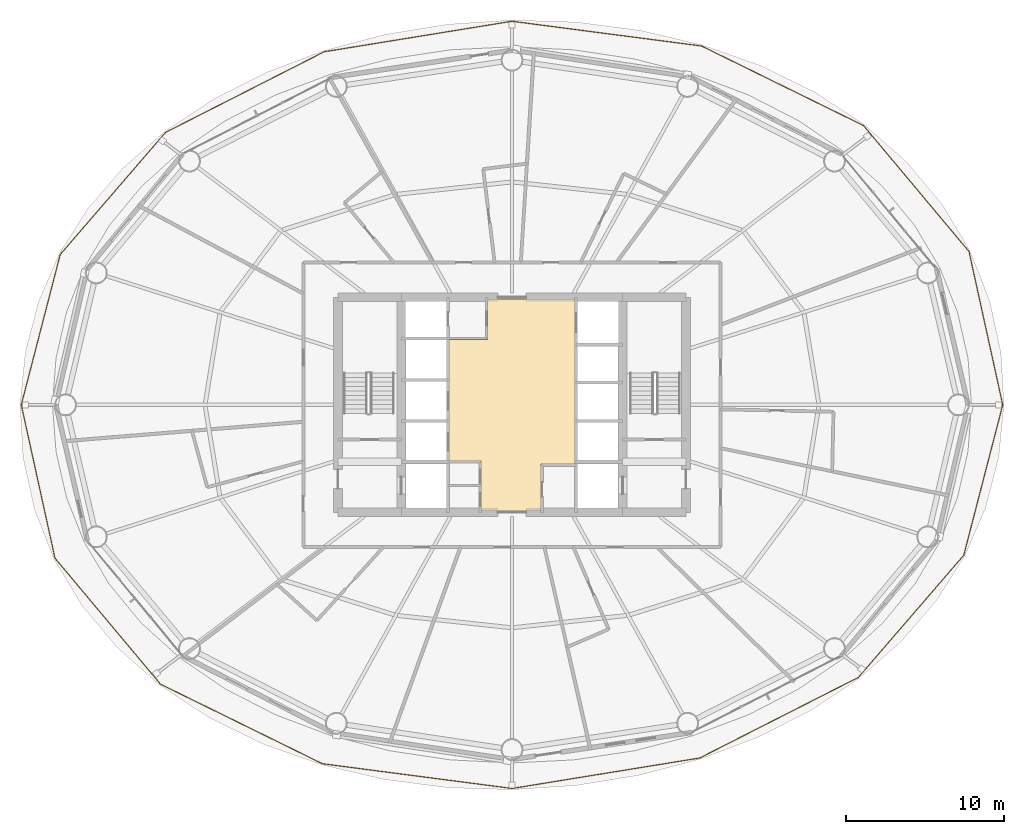
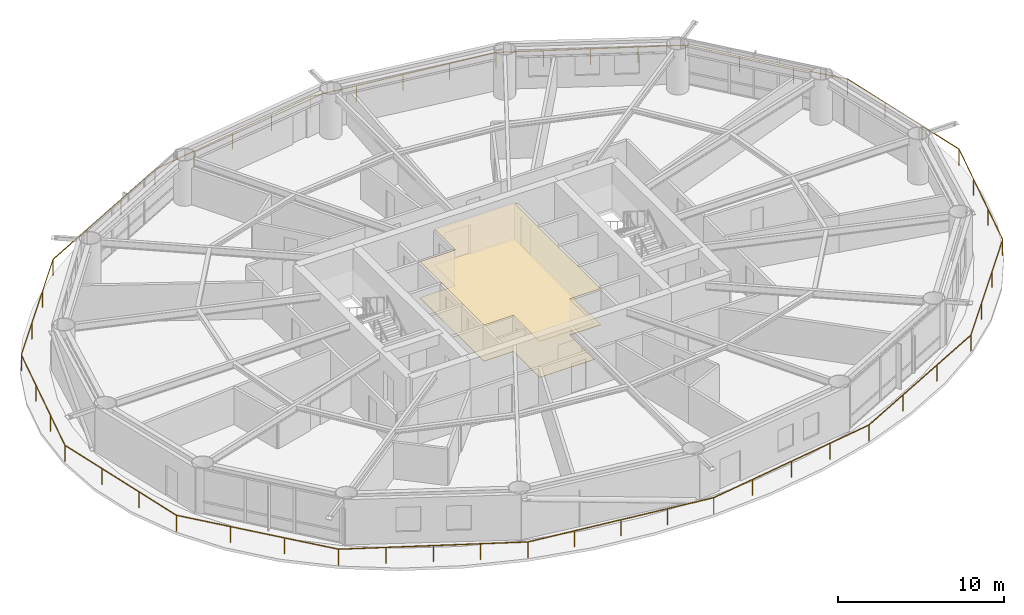
# One storey, part 23 of 24: 2 coverings, 1 railing.
"""IFC4 building model written with IfcOpenShell, lengths in metres."""

from ifc_helpers import new_model, si_unit, direction, frame, origin, origin_2d, place, context, subcontext, project, spatial, polyline, rectangle, outline, extrude, material, layer, layer_set, type_object, element, save


model = new_model("IFC4")

# Units and contexts
model_context = context("Model", 3, precision=1e-05, world=origin(), true_north=direction((0.0, 1.0)))
body_context = subcontext(model_context, "Body", "Model", "MODEL_VIEW")
ifc_project = project(units=[si_unit("LENGTHUNIT", "METRE"), si_unit("AREAUNIT", "SQUARE_METRE"), si_unit("VOLUMEUNIT", "CUBIC_METRE"), si_unit("PLANEANGLEUNIT", "RADIAN"), si_unit("MASSUNIT", "GRAM", prefix="KILO")], contexts=[model_context])

# Site, building, storey
site_placement = place(None, origin())
site = spatial("IfcSite", under=ifc_project, at=site_placement, CompositionType="ELEMENT")
building_placement = place(site_placement, origin())
building = spatial("IfcBuilding", under=site, at=building_placement, Name="Sarneth Arch Tower", CompositionType="ELEMENT")
storey_placement = place(building_placement, frame((0.0, 0.0, 130.800048828125)))
storey = spatial("IfcBuildingStorey", under=building, at=storey_placement, Name="L33", CompositionType="ELEMENT", Elevation=130.800048828125)

# Coverings
ifc_material_1 = material(Name="Perforated acoustic gypsum ceiling board")
ifc_layer_1 = layer(ifc_material_1, 0.02490234375)
ifc_layer_set_1 = layer_set([ifc_layer_1], Name="Perforated acoustic gypsum ceiling board")
covering_type_1 = type_object("IfcCoveringType", Name="COV-CEIL-GYP", PredefinedType="CEILING", material=ifc_layer_set_1)
covering_1_placement = place(storey_placement, frame((0.0, 0.0, 2.64990234375)))
element("IfcCovering", 1, at=covering_1_placement, inside=storey, type_object=covering_type_1, Name="L33 Lift lobby acoustic ceiling", PredefinedType="CEILING", context=body_context, shape_type="SweptSolid", body=[
    extrude(outline(polyline([(49.85009765625, 38.25), (49.85009765625, 35.300048828125), (46.050048828125, 35.300048828125), (46.050048828125, 38.449951171875), (44.0, 38.449951171875), (44.0, 46.14990234375), (46.449951171875, 46.14990234375), (46.449951171875, 48.699951171875), (52.0, 48.699951171875), (52.0, 38.25), (49.85009765625, 38.25)])), origin(), (0.0, 0.0, 1.0), 0.030029296875),
])
ifc_material_2 = material(Name="Honed granite stone flooring", Category="masonry")
ifc_layer_2 = layer(ifc_material_2, 0.030029296875)
ifc_layer_set_2 = layer_set([ifc_layer_2], Name="Honed granite stone flooring")
covering_type_2 = type_object("IfcCoveringType", Name="COV-FLR-STONE", PredefinedType="FLOORING", material=ifc_layer_set_2)
covering_2_placement = place(storey_placement, origin())
element("IfcCovering", 2, at=covering_2_placement, inside=storey, type_object=covering_type_2, Name="L33 Lift lobby granite flooring", PredefinedType="FLOORING", context=body_context, shape_type="SweptSolid", body=[
    extrude(outline(polyline([(49.85009765625, 38.25), (49.85009765625, 35.300048828125), (46.050048828125, 35.300048828125), (46.050048828125, 38.449951171875), (44.0, 38.449951171875), (44.0, 46.14990234375), (46.449951171875, 46.14990234375), (46.449951171875, 48.699951171875), (52.0, 48.699951171875), (52.0, 38.25), (49.85009765625, 38.25)])), origin(), (0.0, 0.0, 1.0), 0.030029296875),
])

# Railing
ifc_material_3 = material(Name="Laminated structural glass infill with Stainless Steel 316 top rail and posts", Category="steel")
railing_type = type_object("IfcRailingType", Name="RAIL-BALC-1200", PredefinedType="BALUSTRADE", material=ifc_material_3)
railing_placement = place(storey_placement, frame((79.03955078125, 42.0, 0.0)))
element("IfcRailing", 3, at=railing_placement, inside=storey, type_object=railing_type, Name="L33 Helical balcony glass balustrade", PredefinedType="BALUSTRADE", context=body_context, shape_type="SweptSolid", body=[
    extrude(rectangle(XDim=0.048095703125, YDim=0.048095703125, at=origin_2d()), frame((0.0, 0.0, 1.17578125), z_axis=(-0.214808314027, 0.976656228273, 0.0), x_axis=(-0.976656228273, -0.214808314027, 0.0)), (0.0, 0.0, 1.0), 9.929931640625),
    extrude(rectangle(XDim=0.048095703125, YDim=0.048095703125, at=origin_2d()), frame((-2.133056640625, 9.6982421875, 1.17578125), z_axis=(-0.641959784475, 0.76673830941, 0.0), x_axis=(-0.76673830941, -0.641959784475, 0.0)), (0.0, 0.0, 1.0), 10.391357421875),
    extrude(rectangle(XDim=0.048095703125, YDim=0.048095703125, at=origin_2d()), frame((-8.803955078125, 17.665771484375, 1.17578125), z_axis=(-0.89757051292, 0.440870927072, 0.0), x_axis=(-0.440870927072, -0.89757051292, 0.0)), (0.0, 0.0, 1.0), 11.413818359375),
    extrude(rectangle(XDim=0.048095703125, YDim=0.048095703125, at=origin_2d()), frame((-19.048583984375, 22.69775390625, 1.17578125), z_axis=(-0.99158565697, 0.129452249465, 0.0), x_axis=(-0.129452249465, -0.99158565697, 0.0)), (0.0, 0.0, 1.0), 12.0927734375),
    extrude(rectangle(XDim=0.048095703125, YDim=0.048095703125, at=origin_2d()), frame((-31.03955078125, 24.26318359375, 1.17578125), z_axis=(-0.987066543835, -0.160311066495, 0.0), x_axis=(0.160311066495, -0.987066543835, 0.0)), (0.0, 0.0, 1.0), 12.032470703125),
    extrude(rectangle(XDim=0.048095703125, YDim=0.048095703125, at=origin_2d()), frame((-42.91650390625, 22.334228515625, 1.17578125), z_axis=(-0.891501843367, -0.45301706731, 0.0), x_axis=(0.45301706731, -0.891501843367, 0.0)), (0.0, 0.0, 1.0), 11.255859375),
    extrude(rectangle(XDim=0.048095703125, YDim=0.048095703125, at=origin_2d()), frame((-52.951171875, 17.235107421875, 1.17578125), z_axis=(-0.653200966718, -0.75718458587, 0.0), x_axis=(0.75718458587, -0.653200966718, 0.0)), (0.0, 0.0, 1.0), 10.19921875),
    extrude(rectangle(XDim=0.048095703125, YDim=0.048095703125, at=origin_2d()), frame((-59.61328125, 9.512451171875, 1.17578125), z_axis=(-0.250926808267, -0.968006062426, 0.0), x_axis=(0.968006062426, -0.250926808267, 0.0)), (0.0, 0.0, 1.0), 9.826904296875),
    extrude(rectangle(XDim=0.048095703125, YDim=0.048095703125, at=origin_2d()), frame((-62.0791015625, 0.0, 1.17578125), z_axis=(0.214808314027, -0.976656228273, 0.0), x_axis=(0.976656228273, 0.214808314027, 0.0)), (0.0, 0.0, 1.0), 9.929931640625),
    extrude(rectangle(XDim=0.048095703125, YDim=0.048095703125, at=origin_2d()), frame((-59.946044921875, -9.6982421875, 1.17578125), z_axis=(0.641959784475, -0.76673830941, 0.0), x_axis=(0.76673830941, 0.641959784475, 0.0)), (0.0, 0.0, 1.0), 10.391357421875),
    extrude(rectangle(XDim=0.048095703125, YDim=0.048095703125, at=origin_2d()), frame((-53.275146484375, -17.665771484375, 1.17578125), z_axis=(0.89757051292, -0.440870927072, 0.0), x_axis=(0.440870927072, 0.89757051292, 0.0)), (0.0, 0.0, 1.0), 11.413818359375),
    extrude(rectangle(XDim=0.048095703125, YDim=0.048095703125, at=origin_2d()), frame((-43.030517578125, -22.69775390625, 1.17578125), z_axis=(0.99158565697, -0.129452249465, 0.0), x_axis=(0.129452249465, 0.99158565697, 0.0)), (0.0, 0.0, 1.0), 12.0927734375),
    extrude(rectangle(XDim=0.048095703125, YDim=0.048095703125, at=origin_2d()), frame((-31.03955078125, -24.26318359375, 1.17578125), z_axis=(0.987066543835, 0.160311066495, 0.0), x_axis=(-0.160311066495, 0.987066543835, 0.0)), (0.0, 0.0, 1.0), 12.032470703125),
    extrude(rectangle(XDim=0.048095703125, YDim=0.048095703125, at=origin_2d()), frame((-19.16259765625, -22.334228515625, 1.17578125), z_axis=(0.891501843367, 0.45301706731, 0.0), x_axis=(-0.45301706731, 0.891501843367, 0.0)), (0.0, 0.0, 1.0), 11.255859375),
    extrude(rectangle(XDim=0.048095703125, YDim=0.048095703125, at=origin_2d()), frame((-9.1279296875, -17.235107421875, 1.17578125), z_axis=(0.653200966718, 0.75718458587, 0.0), x_axis=(-0.75718458587, 0.653200966718, 0.0)), (0.0, 0.0, 1.0), 10.19921875),
    extrude(rectangle(XDim=0.048095703125, YDim=0.048095703125, at=origin_2d()), frame((-2.4658203125, -9.512451171875, 1.17578125), z_axis=(0.250926808267, 0.968006062426, 0.0), x_axis=(-0.968006062426, 0.250926808267, 0.0)), (0.0, 0.0, 1.0), 9.826904296875),
    extrude(rectangle(XDim=0.0419921875, YDim=0.0419921875, at=origin_2d()), origin(), (0.0, 0.0, 1.0), 1.15185546875),
    extrude(rectangle(XDim=0.0419921875, YDim=0.0419921875, at=origin_2d()), frame((-0.7109375, 3.232666015625, 0.0)), (0.0, 0.0, 1.0), 1.15185546875),
    extrude(rectangle(XDim=0.0419921875, YDim=0.0419921875, at=origin_2d()), frame((-1.422119140625, 6.465576171875, 0.0)), (0.0, 0.0, 1.0), 1.15185546875),
    extrude(rectangle(XDim=0.0419921875, YDim=0.0419921875, at=origin_2d()), frame((-2.133056640625, 9.6982421875, 0.0)), (0.0, 0.0, 1.0), 1.15185546875),
    extrude(rectangle(XDim=0.0419921875, YDim=0.0419921875, at=origin_2d()), frame((-4.356689453125, 12.35400390625, 0.0)), (0.0, 0.0, 1.0), 1.15185546875),
    extrude(rectangle(XDim=0.0419921875, YDim=0.0419921875, at=origin_2d()), frame((-6.580322265625, 15.010009765625, 0.0)), (0.0, 0.0, 1.0), 1.15185546875),
    extrude(rectangle(XDim=0.0419921875, YDim=0.0419921875, at=origin_2d()), frame((-8.803955078125, 17.665771484375, 0.0)), (0.0, 0.0, 1.0), 1.15185546875),
    extrude(rectangle(XDim=0.0419921875, YDim=0.0419921875, at=origin_2d()), frame((-11.365234375, 18.923828125, 0.0)), (0.0, 0.0, 1.0), 1.15185546875),
    extrude(rectangle(XDim=0.0419921875, YDim=0.0419921875, at=origin_2d()), frame((-13.92626953125, 20.181640625, 0.0)), (0.0, 0.0, 1.0), 1.15185546875),
    extrude(rectangle(XDim=0.0419921875, YDim=0.0419921875, at=origin_2d()), frame((-16.4873046875, 21.439697265625, 0.0)), (0.0, 0.0, 1.0), 1.15185546875),
    extrude(rectangle(XDim=0.0419921875, YDim=0.0419921875, at=origin_2d()), frame((-19.048583984375, 22.69775390625, 0.0)), (0.0, 0.0, 1.0), 1.15185546875),
    extrude(rectangle(XDim=0.0419921875, YDim=0.0419921875, at=origin_2d()), frame((-22.04638671875, 23.089111328125, 0.0)), (0.0, 0.0, 1.0), 1.15185546875),
    extrude(rectangle(XDim=0.0419921875, YDim=0.0419921875, at=origin_2d()), frame((-25.0439453125, 23.48046875, 0.0)), (0.0, 0.0, 1.0), 1.15185546875),
    extrude(rectangle(XDim=0.0419921875, YDim=0.0419921875, at=origin_2d()), frame((-28.041748046875, 23.871826171875, 0.0)), (0.0, 0.0, 1.0), 1.15185546875),
    extrude(rectangle(XDim=0.0419921875, YDim=0.0419921875, at=origin_2d()), frame((-31.03955078125, 24.26318359375, 0.0)), (0.0, 0.0, 1.0), 1.15185546875),
    extrude(rectangle(XDim=0.0419921875, YDim=0.0419921875, at=origin_2d()), frame((-34.0087890625, 23.781005859375, 0.0)), (0.0, 0.0, 1.0), 1.15185546875),
    extrude(rectangle(XDim=0.0419921875, YDim=0.0419921875, at=origin_2d()), frame((-36.97802734375, 23.298828125, 0.0)), (0.0, 0.0, 1.0), 1.15185546875),
    extrude(rectangle(XDim=0.0419921875, YDim=0.0419921875, at=origin_2d()), frame((-39.947265625, 22.81640625, 0.0)), (0.0, 0.0, 1.0), 1.15185546875),
    extrude(rectangle(XDim=0.0419921875, YDim=0.0419921875, at=origin_2d()), frame((-42.91650390625, 22.334228515625, 0.0)), (0.0, 0.0, 1.0), 1.15185546875),
    extrude(rectangle(XDim=0.0419921875, YDim=0.0419921875, at=origin_2d()), frame((-46.261474609375, 20.634521484375, 0.0)), (0.0, 0.0, 1.0), 1.15185546875),
    extrude(rectangle(XDim=0.0419921875, YDim=0.0419921875, at=origin_2d()), frame((-49.606201171875, 18.934814453125, 0.0)), (0.0, 0.0, 1.0), 1.15185546875),
    extrude(rectangle(XDim=0.0419921875, YDim=0.0419921875, at=origin_2d()), frame((-52.951171875, 17.235107421875, 0.0)), (0.0, 0.0, 1.0), 1.15185546875),
    extrude(rectangle(XDim=0.0419921875, YDim=0.0419921875, at=origin_2d()), frame((-55.171875, 14.660888671875, 0.0)), (0.0, 0.0, 1.0), 1.15185546875),
    extrude(rectangle(XDim=0.0419921875, YDim=0.0419921875, at=origin_2d()), frame((-57.392578125, 12.086669921875, 0.0)), (0.0, 0.0, 1.0), 1.15185546875),
    extrude(rectangle(XDim=0.0419921875, YDim=0.0419921875, at=origin_2d()), frame((-59.61328125, 9.512451171875, 0.0)), (0.0, 0.0, 1.0), 1.15185546875),
    extrude(rectangle(XDim=0.0419921875, YDim=0.0419921875, at=origin_2d()), frame((-60.435302734375, 6.341552734375, 0.0)), (0.0, 0.0, 1.0), 1.15185546875),
    extrude(rectangle(XDim=0.0419921875, YDim=0.0419921875, at=origin_2d()), frame((-61.257080078125, 3.1708984375, 0.0)), (0.0, 0.0, 1.0), 1.15185546875),
    extrude(rectangle(XDim=0.0419921875, YDim=0.0419921875, at=origin_2d()), frame((-62.0791015625, 0.0, 0.0)), (0.0, 0.0, 1.0), 1.15185546875),
    extrude(rectangle(XDim=0.0419921875, YDim=0.0419921875, at=origin_2d()), frame((-61.3681640625, -3.232666015625, 0.0)), (0.0, 0.0, 1.0), 1.15185546875),
    extrude(rectangle(XDim=0.0419921875, YDim=0.0419921875, at=origin_2d()), frame((-60.656982421875, -6.465576171875, 0.0)), (0.0, 0.0, 1.0), 1.15185546875),
    extrude(rectangle(XDim=0.0419921875, YDim=0.0419921875, at=origin_2d()), frame((-59.946044921875, -9.6982421875, 0.0)), (0.0, 0.0, 1.0), 1.15185546875),
    extrude(rectangle(XDim=0.0419921875, YDim=0.0419921875, at=origin_2d()), frame((-57.722412109375, -12.35400390625, 0.0)), (0.0, 0.0, 1.0), 1.15185546875),
    extrude(rectangle(XDim=0.0419921875, YDim=0.0419921875, at=origin_2d()), frame((-55.498779296875, -15.010009765625, 0.0)), (0.0, 0.0, 1.0), 1.15185546875),
    extrude(rectangle(XDim=0.0419921875, YDim=0.0419921875, at=origin_2d()), frame((-53.275146484375, -17.665771484375, 0.0)), (0.0, 0.0, 1.0), 1.15185546875),
    extrude(rectangle(XDim=0.0419921875, YDim=0.0419921875, at=origin_2d()), frame((-50.7138671875, -18.923828125, 0.0)), (0.0, 0.0, 1.0), 1.15185546875),
    extrude(rectangle(XDim=0.0419921875, YDim=0.0419921875, at=origin_2d()), frame((-48.15283203125, -20.181640625, 0.0)), (0.0, 0.0, 1.0), 1.15185546875),
    extrude(rectangle(XDim=0.0419921875, YDim=0.0419921875, at=origin_2d()), frame((-45.591796875, -21.439697265625, 0.0)), (0.0, 0.0, 1.0), 1.15185546875),
    extrude(rectangle(XDim=0.0419921875, YDim=0.0419921875, at=origin_2d()), frame((-43.030517578125, -22.69775390625, 0.0)), (0.0, 0.0, 1.0), 1.15185546875),
    extrude(rectangle(XDim=0.0419921875, YDim=0.0419921875, at=origin_2d()), frame((-40.03271484375, -23.089111328125, 0.0)), (0.0, 0.0, 1.0), 1.15185546875),
    extrude(rectangle(XDim=0.0419921875, YDim=0.0419921875, at=origin_2d()), frame((-37.03515625, -23.48046875, 0.0)), (0.0, 0.0, 1.0), 1.15185546875),
    extrude(rectangle(XDim=0.0419921875, YDim=0.0419921875, at=origin_2d()), frame((-34.037353515625, -23.871826171875, 0.0)), (0.0, 0.0, 1.0), 1.15185546875),
    extrude(rectangle(XDim=0.0419921875, YDim=0.0419921875, at=origin_2d()), frame((-31.03955078125, -24.26318359375, 0.0)), (0.0, 0.0, 1.0), 1.15185546875),
    extrude(rectangle(XDim=0.0419921875, YDim=0.0419921875, at=origin_2d()), frame((-28.0703125, -23.781005859375, 0.0)), (0.0, 0.0, 1.0), 1.15185546875),
    extrude(rectangle(XDim=0.0419921875, YDim=0.0419921875, at=origin_2d()), frame((-25.10107421875, -23.298828125, 0.0)), (0.0, 0.0, 1.0), 1.15185546875),
    extrude(rectangle(XDim=0.0419921875, YDim=0.0419921875, at=origin_2d()), frame((-22.1318359375, -22.81640625, 0.0)), (0.0, 0.0, 1.0), 1.15185546875),
    extrude(rectangle(XDim=0.0419921875, YDim=0.0419921875, at=origin_2d()), frame((-19.16259765625, -22.334228515625, 0.0)), (0.0, 0.0, 1.0), 1.15185546875),
    extrude(rectangle(XDim=0.0419921875, YDim=0.0419921875, at=origin_2d()), frame((-15.817626953125, -20.634521484375, 0.0)), (0.0, 0.0, 1.0), 1.15185546875),
    extrude(rectangle(XDim=0.0419921875, YDim=0.0419921875, at=origin_2d()), frame((-12.472900390625, -18.934814453125, 0.0)), (0.0, 0.0, 1.0), 1.15185546875),
    extrude(rectangle(XDim=0.0419921875, YDim=0.0419921875, at=origin_2d()), frame((-9.1279296875, -17.235107421875, 0.0)), (0.0, 0.0, 1.0), 1.15185546875),
    extrude(rectangle(XDim=0.0419921875, YDim=0.0419921875, at=origin_2d()), frame((-6.9072265625, -14.660888671875, 0.0)), (0.0, 0.0, 1.0), 1.15185546875),
    extrude(rectangle(XDim=0.0419921875, YDim=0.0419921875, at=origin_2d()), frame((-4.6865234375, -12.086669921875, 0.0)), (0.0, 0.0, 1.0), 1.15185546875),
    extrude(rectangle(XDim=0.0419921875, YDim=0.0419921875, at=origin_2d()), frame((-2.4658203125, -9.512451171875, 0.0)), (0.0, 0.0, 1.0), 1.15185546875),
    extrude(rectangle(XDim=0.0419921875, YDim=0.0419921875, at=origin_2d()), frame((-1.643798828125, -6.341552734375, 0.0)), (0.0, 0.0, 1.0), 1.15185546875),
    extrude(rectangle(XDim=0.0419921875, YDim=0.0419921875, at=origin_2d()), frame((-0.822021484375, -3.1708984375, 0.0)), (0.0, 0.0, 1.0), 1.15185546875),
])

save(model, "model.ifc")
